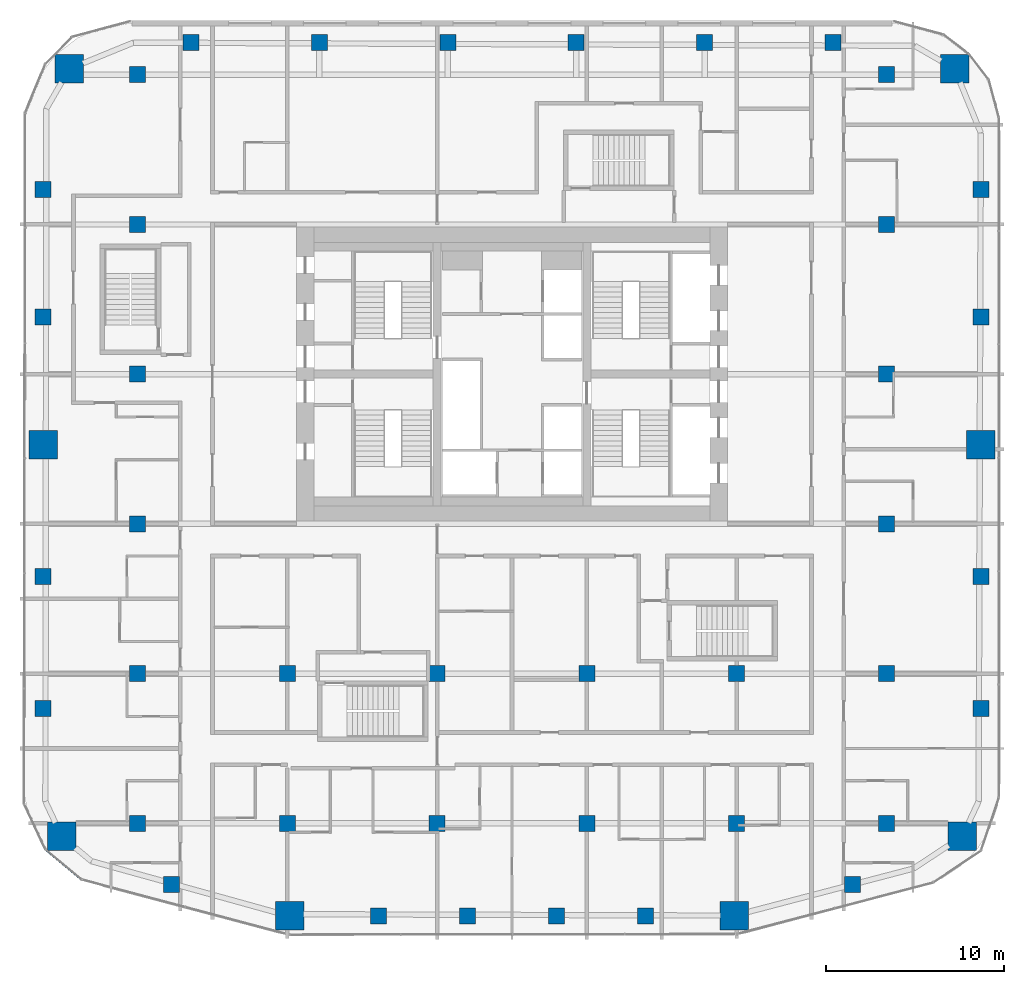
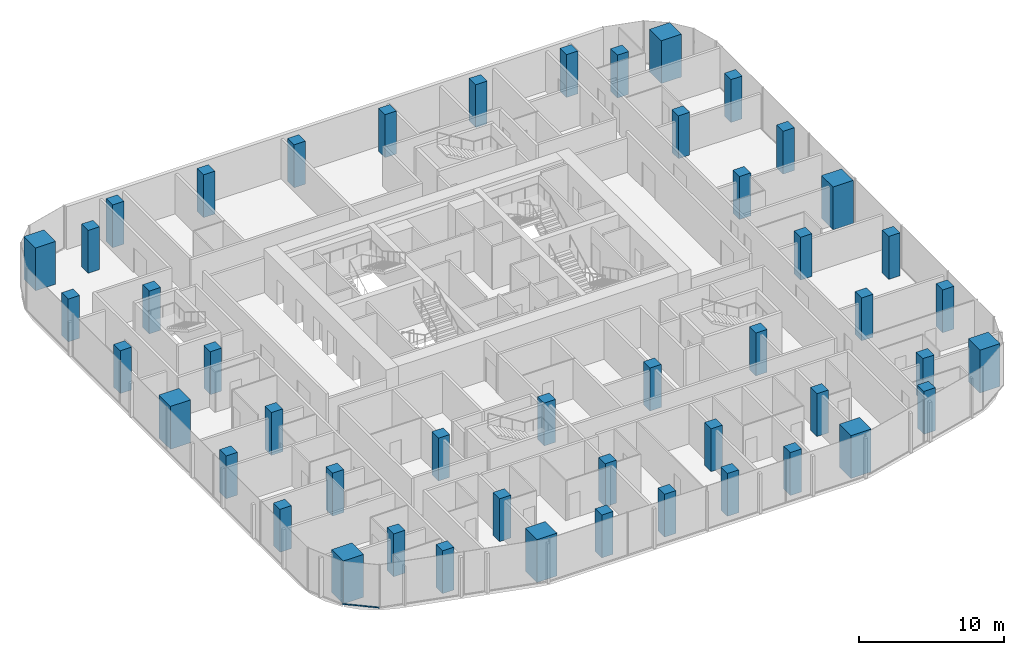
# One storey, part 1 of 23: 48 columns, 1 member, 1 element without a shape of its own.
"""IFC4 building model written with IfcOpenShell, lengths in metres."""

import ifcopenshell
import ifcopenshell.guid

model = None  # the IFC model being written
_history = None  # IfcOwnerHistory: only IFC2X3 demands one
_inside = {}  # id of a spatial element -> (the spatial element, [elements in it])
_under = {}  # id of a project, library or spatial element -> (it, [spatial elements below it])
_declared = {}  # id of a project -> (the project, [libraries it declares])
_typed = {}  # id of a type object -> (the type object, [elements of that type])
_made_of = {}  # id of a material, layer set ... -> (it, [elements and type objects made of it])


def new_model(schema):
    """Start an empty IFC model of exactly this schema.

    Asked for "IFC4X3", IfcOpenShell would pick the latest addendum, in which some entities
    have other attributes; the version numbers below select the first issue.
    IFC2X3 requires an IfcOwnerHistory on every rooted entity: one is made here for all.
    """
    global model, _history
    if schema == "IFC4X3":
        model = ifcopenshell.file(schema_version=(4, 3, 0, 0))
    else:
        model = ifcopenshell.file(schema=schema)
    _inside.clear()
    _under.clear()
    _declared.clear()
    _typed.clear()
    _made_of.clear()
    _history = None
    if model.schema == "IFC2X3":
        org = make("IfcOrganization", Name="unknown")
        user = make(
            "IfcPersonAndOrganization",
            ThePerson=make("IfcPerson", FamilyName="unknown"),
            TheOrganization=org,
        )
        app = make(
            "IfcApplication",
            ApplicationDeveloper=org,
            Version="unknown",
            ApplicationFullName="unknown",
            ApplicationIdentifier="unknown",
        )
        _history = make(
            "IfcOwnerHistory",
            OwningUser=user,
            OwningApplication=app,
            ChangeAction="ADDED",
            CreationDate=0,
        )
    return model


def make(cls, **values):
    """One entity of the class cls with the attributes given. An attribute that is None is left unset."""
    return model.create_entity(
        cls, **{name: value for name, value in values.items() if value is not None}
    )


def rooted(cls, **values):
    """An entity with a GlobalId (a new one), such as an element, a storey or a relation."""
    return make(cls, GlobalId=ifcopenshell.guid.new(), OwnerHistory=_history, **values)


def si_unit(unit_type, name, prefix=None):
    """IfcSIUnit, for example si_unit("LENGTHUNIT", "METRE", prefix="MILLI")."""
    return make("IfcSIUnit", UnitType=unit_type, Prefix=prefix, Name=name)


def assignment(units):
    """IfcUnitAssignment: the units of a project."""
    return None if units is None else make("IfcUnitAssignment", Units=units)


def point(xyz):
    """IfcCartesianPoint."""
    return None if xyz is None else make("IfcCartesianPoint", Coordinates=xyz)


def direction(xyz):
    """IfcDirection."""
    return None if xyz is None else make("IfcDirection", DirectionRatios=xyz)


def frame(location, z_axis=None, x_axis=None):
    """IfcAxis2Placement3D, a coordinate frame: its origin and axes. An axis left out is left unset."""
    return make(
        "IfcAxis2Placement3D",
        Location=point(location),
        Axis=direction(z_axis),
        RefDirection=direction(x_axis),
    )


def frame_2d(location, x_axis=None):
    """IfcAxis2Placement2D, a coordinate frame in the plane: its origin and x axis."""
    return make(
        "IfcAxis2Placement2D", Location=point(location), RefDirection=direction(x_axis)
    )


def origin():
    """The frame at (0, 0, 0) with its axes left unset."""
    return frame((0.0, 0.0, 0.0))


def origin_2d():
    """The frame at (0, 0) in the plane with its x axis left unset."""
    return frame_2d((0.0, 0.0))


def place(relative_to, where):
    """IfcLocalPlacement: puts the frame where relative to a parent placement (None: the world)."""
    return make(
        "IfcLocalPlacement", PlacementRelTo=relative_to, RelativePlacement=where
    )


def context(
    kind, dimensions, precision=None, world=None, true_north=None, identifier=None
):
    """IfcGeometricRepresentationContext, for example the 3D "Model" context."""
    return make(
        "IfcGeometricRepresentationContext",
        ContextIdentifier=identifier,
        ContextType=kind,
        CoordinateSpaceDimension=dimensions,
        Precision=precision,
        WorldCoordinateSystem=world,
        TrueNorth=true_north,
    )


def subcontext(parent, identifier, kind, view, scale=None):
    """IfcGeometricRepresentationSubContext, for example "Body" below "Model"."""
    return make(
        "IfcGeometricRepresentationSubContext",
        ContextIdentifier=identifier,
        ContextType=kind,
        ParentContext=parent,
        TargetScale=scale,
        TargetView=view,
    )


def project(units=None, contexts=None):
    """IfcProject with its units and contexts."""
    return rooted(
        "IfcProject",
        Name="project",
        RepresentationContexts=contexts,
        UnitsInContext=assignment(units),
    )


def spatial(cls, under=None, at=None, **own):
    """A site, building, storey or space (cls), placed at a placement, below another one or the project."""
    s = rooted(cls, ObjectPlacement=at, **own)
    if under is not None:
        _under.setdefault(under.id(), (under, []))[1].append(s)
    return s


def profile(cls, at=None, kind="AREA", **sizes):
    """A parametric profile (cls). Its sizes go by their IFC names, for example OverallWidth=200.0."""
    return make(cls, ProfileType=kind, Position=at, **sizes)


def rectangle(**sizes):
    """IfcRectangleProfileDef."""
    return profile("IfcRectangleProfileDef", **sizes)


def extrude(swept, where, along, depth):
    """IfcExtrudedAreaSolid: the profile swept, set in the frame where, extruded along a direction by depth."""
    return make(
        "IfcExtrudedAreaSolid",
        SweptArea=swept,
        Position=where,
        ExtrudedDirection=direction(along),
        Depth=depth,
    )


def shape(context_of_items, identifier, shape_type, items):
    """IfcShapeRepresentation: the items that make up one representation, for example the "Body"."""
    return make(
        "IfcShapeRepresentation",
        ContextOfItems=context_of_items,
        RepresentationIdentifier=identifier,
        RepresentationType=shape_type,
        Items=items,
    )


def material(Name=None, Category=None):
    """IfcMaterial."""
    return make("IfcMaterial", Name=Name, Category=Category)


def layer(
    of_material, thickness, ventilated=None, Name=None, Category=None, Priority=None
):
    """IfcMaterialLayer: one layer of a wall or slab, of a material (None: an air gap)."""
    return make(
        "IfcMaterialLayer",
        Material=of_material,
        LayerThickness=thickness,
        IsVentilated=ventilated,
        Name=Name,
        Category=Category,
        Priority=Priority,
    )


def layer_set(layers, Name=None):
    """IfcMaterialLayerSet."""
    return make("IfcMaterialLayerSet", MaterialLayers=layers, LayerSetName=Name)


def material_profile(
    of_material, cross_section, Name=None, Category=None, Priority=None
):
    """IfcMaterialProfile: a cross section and its material."""
    return make(
        "IfcMaterialProfile",
        Name=Name,
        Material=of_material,
        Profile=cross_section,
        Priority=Priority,
        Category=Category,
    )


def profile_set(profiles, Name=None, composite=None):
    """IfcMaterialProfileSet."""
    return make(
        "IfcMaterialProfileSet",
        Name=Name,
        MaterialProfiles=profiles,
        CompositeProfile=composite,
    )


def made_of(thing, what):
    """Note that an element or type object is made of a material, layer set ...; save() writes the relation."""
    if what is not None:
        _made_of.setdefault(what.id(), (what, []))[1].append(thing)
    return thing


def type_object(cls, material=None, **own):
    """A type object (cls), such as IfcWallType, which elements share."""
    return made_of(rooted(cls, **own), material)


def element(
    cls,
    number,
    at=None,
    inside=None,
    cuts=None,
    type_object=None,
    material=None,
    context=None,
    identifier="Body",
    shape_type=None,
    held_by="IfcProductDefinitionShape",
    body=None,
    shapes=None,
    **own,
):
    """One element of the class cls, such as IfcWall. Its Tag is "e" and its number.

    at: its placement. inside: the storey or other place that contains it. cuts: it is an
    opening in that element (IfcRelVoidsElement). A single representation is given by context,
    identifier, shape_type and body (its items); several are given by shapes. held_by: the class
    of the entity that holds the representations. save() writes the other relations.
    """
    e = rooted(cls, Tag="e%d" % number, ObjectPlacement=at, **own)
    if body is not None:
        shapes = [shape(context, identifier, shape_type, body)]
    if shapes is not None:
        e.Representation = make(held_by, Representations=shapes)
    if inside is not None:
        _inside.setdefault(inside.id(), (inside, []))[1].append(e)
    if cuts is not None:
        rooted(
            "IfcRelVoidsElement", RelatingBuildingElement=cuts, RelatedOpeningElement=e
        )
    if type_object is not None:
        _typed.setdefault(type_object.id(), (type_object, []))[1].append(e)
    return made_of(e, material)


def aggregate(whole, parts):
    """IfcRelAggregates: a whole, such as a stair, and the parts it consists of."""
    return rooted("IfcRelAggregates", RelatingObject=whole, RelatedObjects=parts)


def save(model, path):
    """Write the relations noted so far, then the file.

    IfcRelAggregates (storeys below a building ...), IfcRelContainedInSpatialStructure (elements
    in a storey), IfcRelDefinesByType, IfcRelAssociatesMaterial and IfcRelDeclares: one each for
    every whole, place, type object, material and project.
    """
    for whole, parts in _under.values():
        aggregate(whole, parts)
    for where, things in _inside.values():
        rooted(
            "IfcRelContainedInSpatialStructure",
            RelatedElements=things,
            RelatingStructure=where,
        )
    for kind, things in _typed.values():
        rooted("IfcRelDefinesByType", RelatedObjects=things, RelatingType=kind)
    for what, things in _made_of.values():
        rooted("IfcRelAssociatesMaterial", RelatedObjects=things, RelatingMaterial=what)
    for by, libraries in _declared.values():
        rooted("IfcRelDeclares", RelatingContext=by, RelatedDefinitions=libraries)
    model.write(path)


model = new_model("IFC4")

# Units and contexts
model_context = context("Model", 3, precision=1e-05, world=origin(), true_north=direction((0.0, 1.0)))
body_context = subcontext(model_context, "Body", "Model", "MODEL_VIEW")
ifc_project = project(units=[si_unit("LENGTHUNIT", "METRE"), si_unit("AREAUNIT", "SQUARE_METRE"), si_unit("VOLUMEUNIT", "CUBIC_METRE"), si_unit("PLANEANGLEUNIT", "RADIAN"), si_unit("MASSUNIT", "GRAM", prefix="KILO")], contexts=[model_context])

# Site, building, storey
site_placement = place(None, origin())
site = spatial("IfcSite", under=ifc_project, at=site_placement, CompositionType="ELEMENT")
building_placement = place(site_placement, origin())
building = spatial("IfcBuilding", under=site, at=building_placement, Name="Marenta Gate Hotel Tower", CompositionType="ELEMENT")
storey_placement = place(building_placement, frame((0.0, 0.0, 148.10009765625)))
storey = spatial("IfcBuildingStorey", under=building, at=storey_placement, Name="L34", CompositionType="ELEMENT", Elevation=148.10009765625)

# Columns
ifc_material_1 = material(Name="Concrete C70", Category="concrete")
ifc_material_profile_1 = material_profile(ifc_material_1, rectangle(XDim=0.89990234375, YDim=0.89990234375, at=origin_2d()), Name="900 x 900")
ifc_profile_set_1 = profile_set([ifc_material_profile_1], Name="Concrete C70")
column_type_1 = type_object("IfcColumnType", Name="Edge column 900 x 900 C70", PredefinedType="COLUMN", material=ifc_profile_set_1)
for number, where, z_axis, x_axis, name in (
    (1, (-26.300048828125, -10.351806640625, 0.0), (0.0, 0.0, 1.0), (1.0, 0.0, 0.0), "L34-EC-SW-W-1"),
    (2, (-26.300048828125, -2.950927734375, 0.0), (0.0, 0.0, 1.0), (1.0, 0.0, 0.0), "L34-EC-SW-W-2"),
    (3, (-26.300048828125, 11.603271484375, 0.0), (0.0, 0.0, 1.0), (1.0, 0.0, 0.0), "L34-EC-W-NW-1"),
    (4, (-26.300048828125, 18.75634765625, 0.0), (0.0, 0.0, 1.0), (1.0, 0.0, 0.0), "L34-EC-W-NW-2"),
    (5, (-18.0068359375, 27.0, 0.0), (0.0, 0.0, 1.0), (1.0, 0.0, 0.0), "L34-EC-NW-NE-1"),
    (6, (-10.80419921875, 27.0, 0.0), (0.0, 0.0, 1.0), (1.0, 0.0, 0.0), "L34-EC-NW-NE-2"),
    (7, (-3.601318359375, 27.0, 0.0), (0.0, 0.0, 1.0), (1.0, 0.0, 0.0), "L34-EC-NW-NE-3"),
    (8, (3.601318359375, 27.0, 0.0), (0.0, 0.0, 1.0), (1.0, 0.0, 0.0), "L34-EC-NW-NE-4"),
    (9, (10.80419921875, 27.0, 0.0), (0.0, 0.0, 1.0), (1.0, 0.0, 0.0), "L34-EC-NW-NE-5"),
    (10, (18.0068359375, 27.0, 0.0), (0.0, 0.0, 1.0), (1.0, 0.0, 0.0), "L34-EC-NW-NE-6"),
    (11, (26.300048828125, 18.75634765625, 0.0), (0.0, 0.0, 1.0), (1.0, 0.0, 0.0), "L34-EC-NE-E-1"),
    (12, (26.300048828125, 11.603271484375, 0.0), (0.0, 0.0, 1.0), (1.0, 0.0, 0.0), "L34-EC-NE-E-2"),
    (13, (26.300048828125, -2.950927734375, 0.0), (0.0, 0.0, 1.0), (1.0, 0.0, 0.0), "L34-EC-E-SE-1"),
    (14, (26.300048828125, -10.351806640625, 0.0), (0.0, 0.0, 1.0), (1.0, 0.0, 0.0), "L34-EC-E-SE-2"),
    (15, (19.106689453125, -20.239013671875, 0.0), (0.0, 0.0, 1.0), (1.0, 0.0, 0.0), "L34-EC-SE-SKE-1"),
    (16, (7.47998046875, -22.0, 0.0), (0.0, 0.0, 1.0), (1.0, 0.0, 0.0), "L34-EC-SKE-SKW-1"),
    (17, (2.493408203125, -22.0, 0.0), (0.0, 0.0, 1.0), (1.0, 0.0, 0.0), "L34-EC-SKE-SKW-2"),
    (18, (-2.493408203125, -22.0, 0.0), (0.0, 0.0, 1.0), (1.0, 0.0, 0.0), "L34-EC-SKE-SKW-3"),
    (19, (-7.47998046875, -22.0, 0.0), (0.0, 0.0, 1.0), (1.0, 0.0, 0.0), "L34-EC-SKE-SKW-4"),
    (20, (-19.106689453125, -20.239013671875, 0.0), (0.0, 0.0, 1.0), (1.0, 0.0, 0.0), "L34-EC-SKW-SW-1"),
):
    element("IfcColumn", number, at=place(storey_placement, frame(where, z_axis=z_axis, x_axis=x_axis)), inside=storey, type_object=column_type_1, Name=name, PredefinedType="COLUMN", context=body_context, shape_type="SweptSolid", body=[
        extrude(rectangle(XDim=0.89990234375, YDim=0.89990234375, at=origin_2d()), origin(), (0.0, 0.0, 1.0), 3.599853515625),
    ])
ifc_material_2 = material(Name="Concrete C70", Category="concrete")
ifc_material_profile_2 = material_profile(ifc_material_2, rectangle(XDim=0.89990234375, YDim=0.89990234375, at=origin_2d()), Name="900 x 900")
ifc_profile_set_2 = profile_set([ifc_material_profile_2], Name="Concrete C70")
column_type_2 = type_object("IfcColumnType", Name="Interior column 900 x 900 C70", PredefinedType="COLUMN", material=ifc_profile_set_2)
for number, where, z_axis, x_axis, name in (
    (21, (-21.0, -16.800048828125, 0.0), (0.0, 0.0, 1.0), (1.0, 0.0, 0.0), "L34-IC-4D"),
    (22, (-21.0, -8.39990234375, 0.0), (0.0, 0.0, 1.0), (1.0, 0.0, 0.0), "L34-IC-4E"),
    (23, (-21.0, 0.0, 0.0), (0.0, 0.0, 1.0), (1.0, 0.0, 0.0), "L34-IC-4F"),
    (24, (-21.0, 8.39990234375, 0.0), (0.0, 0.0, 1.0), (1.0, 0.0, 0.0), "L34-IC-4G"),
    (25, (-21.0, 16.800048828125, 0.0), (0.0, 0.0, 1.0), (1.0, 0.0, 0.0), "L34-IC-4H"),
    (26, (-21.0, 25.199951171875, 0.0), (0.0, 0.0, 1.0), (1.0, 0.0, 0.0), "L34-IC-4I"),
    (27, (-12.60009765625, -16.800048828125, 0.0), (0.0, 0.0, 1.0), (1.0, 0.0, 0.0), "L34-IC-5D"),
    (28, (-12.60009765625, -8.39990234375, 0.0), (0.0, 0.0, 1.0), (1.0, 0.0, 0.0), "L34-IC-5E"),
    (29, (-4.199951171875, -16.800048828125, 0.0), (0.0, 0.0, 1.0), (1.0, 0.0, 0.0), "L34-IC-6D"),
    (30, (-4.199951171875, -8.39990234375, 0.0), (0.0, 0.0, 1.0), (1.0, 0.0, 0.0), "L34-IC-6E"),
    (31, (4.199951171875, -16.800048828125, 0.0), (0.0, 0.0, 1.0), (1.0, 0.0, 0.0), "L34-IC-7D"),
    (32, (4.199951171875, -8.39990234375, 0.0), (0.0, 0.0, 1.0), (1.0, 0.0, 0.0), "L34-IC-7E"),
    (33, (12.60009765625, -16.800048828125, 0.0), (0.0, 0.0, 1.0), (1.0, 0.0, 0.0), "L34-IC-8D"),
    (34, (12.60009765625, -8.39990234375, 0.0), (0.0, 0.0, 1.0), (1.0, 0.0, 0.0), "L34-IC-8E"),
    (35, (21.0, -16.800048828125, 0.0), (0.0, 0.0, 1.0), (1.0, 0.0, 0.0), "L34-IC-9D"),
    (36, (21.0, -8.39990234375, 0.0), (0.0, 0.0, 1.0), (1.0, 0.0, 0.0), "L34-IC-9E"),
    (37, (21.0, 0.0, 0.0), (0.0, 0.0, 1.0), (1.0, 0.0, 0.0), "L34-IC-9F"),
    (38, (21.0, 8.39990234375, 0.0), (0.0, 0.0, 1.0), (1.0, 0.0, 0.0), "L34-IC-9G"),
    (39, (21.0, 16.800048828125, 0.0), (0.0, 0.0, 1.0), (1.0, 0.0, 0.0), "L34-IC-9H"),
    (40, (21.0, 25.199951171875, 0.0), (0.0, 0.0, 1.0), (1.0, 0.0, 0.0), "L34-IC-9I"),
):
    element("IfcColumn", number, at=place(storey_placement, frame(where, z_axis=z_axis, x_axis=x_axis)), inside=storey, type_object=column_type_2, Name=name, PredefinedType="COLUMN", context=body_context, shape_type="SweptSolid", body=[
        extrude(rectangle(XDim=0.89990234375, YDim=0.89990234375, at=origin_2d()), origin(), (0.0, 0.0, 1.0), 3.599853515625),
    ])
ifc_material_3 = material(Name="Concrete C70", Category="concrete")
ifc_material_profile_3 = material_profile(ifc_material_3, rectangle(XDim=1.60009765625, YDim=1.60009765625, at=origin_2d()), Name="1600 x 1600")
ifc_profile_set_3 = profile_set([ifc_material_profile_3], Name="Concrete C70")
column_type_3 = type_object("IfcColumnType", Name="Mega column 1600 x 1600 C70", PredefinedType="COLUMN", material=ifc_profile_set_3)
for number, where, z_axis, x_axis, name in (
    (41, (-25.262939453125, -17.532958984375, 0.0), (0.0, 0.0, 1.0), (1.0, 0.0, 0.0), "L34-MC-SW"),
    (42, (-12.46630859375, -21.974853515625, 0.0), (0.0, 0.0, 1.0), (1.0, 0.0, 0.0), "L34-MC-SKW"),
    (43, (12.46630859375, -21.974853515625, 0.0), (0.0, 0.0, 1.0), (1.0, 0.0, 0.0), "L34-MC-SKE"),
    (44, (25.262939453125, -17.532958984375, 0.0), (0.0, 0.0, 1.0), (1.0, 0.0, 0.0), "L34-MC-SE"),
    (45, (26.300048828125, 4.449951171875, 0.0), (0.0, 0.0, 1.0), (1.0, 0.0, 0.0), "L34-MC-E"),
    (46, (24.83544921875, 25.535400390625, 0.0), (0.0, 0.0, 1.0), (1.0, 0.0, 0.0), "L34-MC-NE"),
    (47, (-24.83544921875, 25.535400390625, 0.0), (0.0, 0.0, 1.0), (1.0, 0.0, 0.0), "L34-MC-NW"),
    (48, (-26.300048828125, 4.449951171875, 0.0), (0.0, 0.0, 1.0), (1.0, 0.0, 0.0), "L34-MC-W"),
):
    element("IfcColumn", number, at=place(storey_placement, frame(where, z_axis=z_axis, x_axis=x_axis)), inside=storey, type_object=column_type_3, Name=name, PredefinedType="COLUMN", context=body_context, shape_type="SweptSolid", body=[
        extrude(rectangle(XDim=1.60009765625, YDim=1.60009765625, at=origin_2d()), origin(), (0.0, 0.0, 1.0), 3.599853515625),
    ])

# Curtain wall, member
ifc_material_4 = material(Name="Tinted insulated glass in bronze anodised frame", Category="glass")
ifc_layer = layer(ifc_material_4, 0.1201171875)
ifc_layer_set = layer_set([ifc_layer], Name="Tinted insulated glass in bronze anodised frame")
curtain_wall_type = type_object("IfcCurtainWallType", Name="Tower unitised curtain wall CW1", PredefinedType="NOTDEFINED", material=ifc_layer_set)
curtain_wall_placement = place(storey_placement, origin())
curtain_wall = element("IfcCurtainWall", 49, at=curtain_wall_placement, inside=storey, type_object=curtain_wall_type, Name="CW1 run G05", PredefinedType="NOTDEFINED")
ifc_material_5 = material(Name="Bronze anodised aluminium", Category="aluminium")
ifc_material_profile_4 = material_profile(ifc_material_5, rectangle(XDim=0.1201171875, YDim=0.06005859375, at=origin_2d()), Name="Transom CW1 60x120 bronze anodised aluminium")
ifc_profile_set_4 = profile_set([ifc_material_profile_4], Name="Bronze anodised aluminium")
member_type = type_object("IfcMemberType", Name="Transom CW1 60x120 bronze anodised aluminium", PredefinedType="USERDEFINED", material=ifc_profile_set_4)
member_placement = place(storey_placement, frame((-26.12890625, -18.296142578125, 0.02978515625), z_axis=(0.767116735682, -0.641507532175, 0.0), x_axis=(0.641507532175, 0.767116735682, 0.0)))
member = element("IfcMember", 50, at=member_placement, type_object=member_type, Name="CW1 transom 1.1", ObjectType="TRANSOM", PredefinedType="USERDEFINED", context=body_context, shape_type="SweptSolid", body=[
    extrude(rectangle(XDim=0.1201171875, YDim=0.06005859375, at=origin_2d()), origin(), (0.0, 0.0, 1.0), 2.575439453125),
])
aggregate(curtain_wall, [member])

save(model, "model.ifc")
